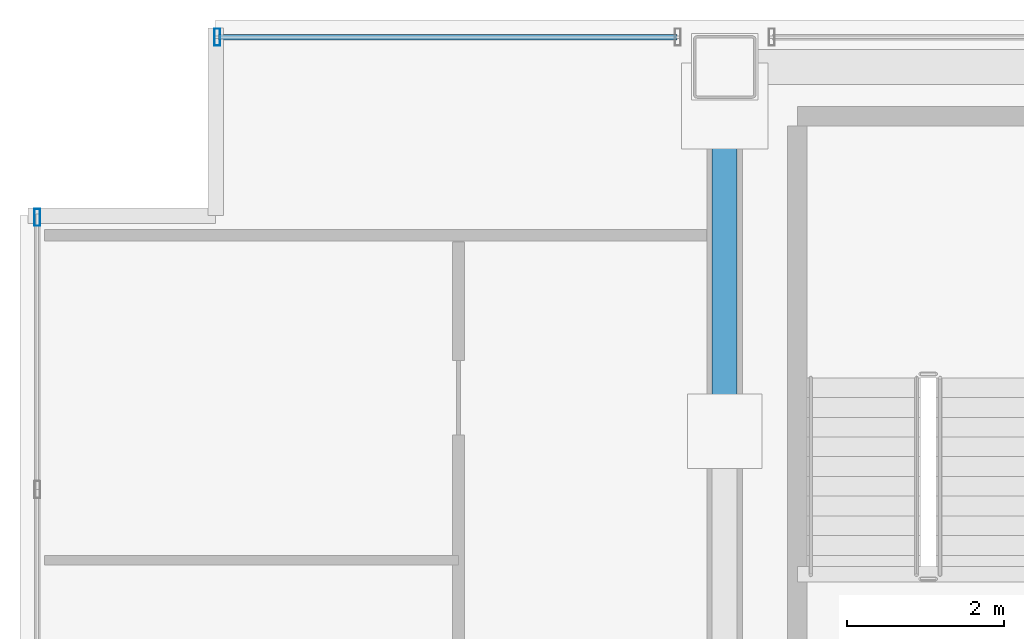
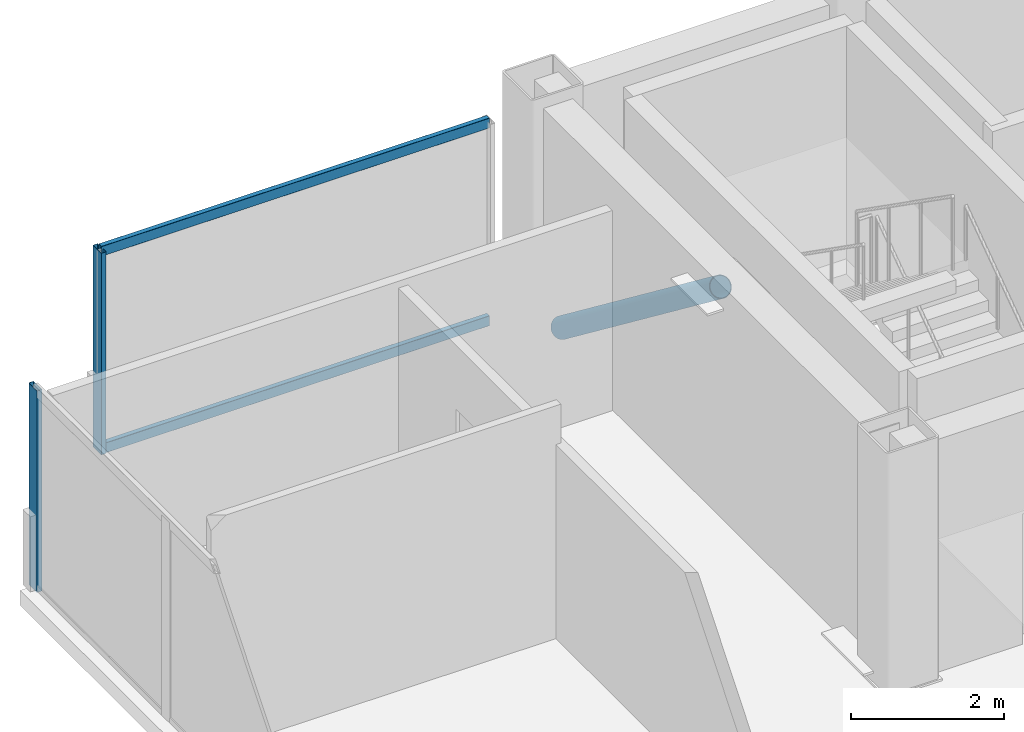
# One storey, part 10 of 22: 5 members, 2 elements without a shape of their own.
"""IFC4 building model written with IfcOpenShell, lengths in metres."""

import ifcopenshell
import ifcopenshell.guid

model = None  # the IFC model being written
_history = None  # IfcOwnerHistory: only IFC2X3 demands one
_inside = {}  # id of a spatial element -> (the spatial element, [elements in it])
_under = {}  # id of a project, library or spatial element -> (it, [spatial elements below it])
_declared = {}  # id of a project -> (the project, [libraries it declares])
_typed = {}  # id of a type object -> (the type object, [elements of that type])
_made_of = {}  # id of a material, layer set ... -> (it, [elements and type objects made of it])


def new_model(schema):
    """Start an empty IFC model of exactly this schema.

    Asked for "IFC4X3", IfcOpenShell would pick the latest addendum, in which some entities
    have other attributes; the version numbers below select the first issue.
    IFC2X3 requires an IfcOwnerHistory on every rooted entity: one is made here for all.
    """
    global model, _history
    if schema == "IFC4X3":
        model = ifcopenshell.file(schema_version=(4, 3, 0, 0))
    else:
        model = ifcopenshell.file(schema=schema)
    _inside.clear()
    _under.clear()
    _declared.clear()
    _typed.clear()
    _made_of.clear()
    _history = None
    if model.schema == "IFC2X3":
        org = make("IfcOrganization", Name="unknown")
        user = make(
            "IfcPersonAndOrganization",
            ThePerson=make("IfcPerson", FamilyName="unknown"),
            TheOrganization=org,
        )
        app = make(
            "IfcApplication",
            ApplicationDeveloper=org,
            Version="unknown",
            ApplicationFullName="unknown",
            ApplicationIdentifier="unknown",
        )
        _history = make(
            "IfcOwnerHistory",
            OwningUser=user,
            OwningApplication=app,
            ChangeAction="ADDED",
            CreationDate=0,
        )
    return model


def make(cls, **values):
    """One entity of the class cls with the attributes given. An attribute that is None is left unset."""
    return model.create_entity(
        cls, **{name: value for name, value in values.items() if value is not None}
    )


def rooted(cls, **values):
    """An entity with a GlobalId (a new one), such as an element, a storey or a relation."""
    return make(cls, GlobalId=ifcopenshell.guid.new(), OwnerHistory=_history, **values)


def si_unit(unit_type, name, prefix=None):
    """IfcSIUnit, for example si_unit("LENGTHUNIT", "METRE", prefix="MILLI")."""
    return make("IfcSIUnit", UnitType=unit_type, Prefix=prefix, Name=name)


def assignment(units):
    """IfcUnitAssignment: the units of a project."""
    return None if units is None else make("IfcUnitAssignment", Units=units)


def point(xyz):
    """IfcCartesianPoint."""
    return None if xyz is None else make("IfcCartesianPoint", Coordinates=xyz)


def direction(xyz):
    """IfcDirection."""
    return None if xyz is None else make("IfcDirection", DirectionRatios=xyz)


def frame(location, z_axis=None, x_axis=None):
    """IfcAxis2Placement3D, a coordinate frame: its origin and axes. An axis left out is left unset."""
    return make(
        "IfcAxis2Placement3D",
        Location=point(location),
        Axis=direction(z_axis),
        RefDirection=direction(x_axis),
    )


def frame_2d(location, x_axis=None):
    """IfcAxis2Placement2D, a coordinate frame in the plane: its origin and x axis."""
    return make(
        "IfcAxis2Placement2D", Location=point(location), RefDirection=direction(x_axis)
    )


def origin():
    """The frame at (0, 0, 0) with its axes left unset."""
    return frame((0.0, 0.0, 0.0))


def origin_2d():
    """The frame at (0, 0) in the plane with its x axis left unset."""
    return frame_2d((0.0, 0.0))


def place(relative_to, where):
    """IfcLocalPlacement: puts the frame where relative to a parent placement (None: the world)."""
    return make(
        "IfcLocalPlacement", PlacementRelTo=relative_to, RelativePlacement=where
    )


def context(
    kind, dimensions, precision=None, world=None, true_north=None, identifier=None
):
    """IfcGeometricRepresentationContext, for example the 3D "Model" context."""
    return make(
        "IfcGeometricRepresentationContext",
        ContextIdentifier=identifier,
        ContextType=kind,
        CoordinateSpaceDimension=dimensions,
        Precision=precision,
        WorldCoordinateSystem=world,
        TrueNorth=true_north,
    )


def subcontext(parent, identifier, kind, view, scale=None):
    """IfcGeometricRepresentationSubContext, for example "Body" below "Model"."""
    return make(
        "IfcGeometricRepresentationSubContext",
        ContextIdentifier=identifier,
        ContextType=kind,
        ParentContext=parent,
        TargetScale=scale,
        TargetView=view,
    )


def project(units=None, contexts=None):
    """IfcProject with its units and contexts."""
    return rooted(
        "IfcProject",
        Name="project",
        RepresentationContexts=contexts,
        UnitsInContext=assignment(units),
    )


def spatial(cls, under=None, at=None, **own):
    """A site, building, storey or space (cls), placed at a placement, below another one or the project."""
    s = rooted(cls, ObjectPlacement=at, **own)
    if under is not None:
        _under.setdefault(under.id(), (under, []))[1].append(s)
    return s


def profile(cls, at=None, kind="AREA", **sizes):
    """A parametric profile (cls). Its sizes go by their IFC names, for example OverallWidth=200.0."""
    return make(cls, ProfileType=kind, Position=at, **sizes)


def hollow_rectangle(**sizes):
    """IfcRectangleHollowProfileDef."""
    return profile("IfcRectangleHollowProfileDef", **sizes)


def hollow_circle(**sizes):
    """IfcCircleHollowProfileDef."""
    return profile("IfcCircleHollowProfileDef", **sizes)


def extrude(swept, where, along, depth):
    """IfcExtrudedAreaSolid: the profile swept, set in the frame where, extruded along a direction by depth."""
    return make(
        "IfcExtrudedAreaSolid",
        SweptArea=swept,
        Position=where,
        ExtrudedDirection=direction(along),
        Depth=depth,
    )


def shape(context_of_items, identifier, shape_type, items):
    """IfcShapeRepresentation: the items that make up one representation, for example the "Body"."""
    return make(
        "IfcShapeRepresentation",
        ContextOfItems=context_of_items,
        RepresentationIdentifier=identifier,
        RepresentationType=shape_type,
        Items=items,
    )


def material(Name=None, Category=None):
    """IfcMaterial."""
    return make("IfcMaterial", Name=Name, Category=Category)


def material_profile(
    of_material, cross_section, Name=None, Category=None, Priority=None
):
    """IfcMaterialProfile: a cross section and its material."""
    return make(
        "IfcMaterialProfile",
        Name=Name,
        Material=of_material,
        Profile=cross_section,
        Priority=Priority,
        Category=Category,
    )


def profile_set(profiles, Name=None, composite=None):
    """IfcMaterialProfileSet."""
    return make(
        "IfcMaterialProfileSet",
        Name=Name,
        MaterialProfiles=profiles,
        CompositeProfile=composite,
    )


def made_of(thing, what):
    """Note that an element or type object is made of a material, layer set ...; save() writes the relation."""
    if what is not None:
        _made_of.setdefault(what.id(), (what, []))[1].append(thing)
    return thing


def type_object(cls, material=None, **own):
    """A type object (cls), such as IfcWallType, which elements share."""
    return made_of(rooted(cls, **own), material)


def element(
    cls,
    number,
    at=None,
    inside=None,
    cuts=None,
    type_object=None,
    material=None,
    context=None,
    identifier="Body",
    shape_type=None,
    held_by="IfcProductDefinitionShape",
    body=None,
    shapes=None,
    **own,
):
    """One element of the class cls, such as IfcWall. Its Tag is "e" and its number.

    at: its placement. inside: the storey or other place that contains it. cuts: it is an
    opening in that element (IfcRelVoidsElement). A single representation is given by context,
    identifier, shape_type and body (its items); several are given by shapes. held_by: the class
    of the entity that holds the representations. save() writes the other relations.
    """
    e = rooted(cls, Tag="e%d" % number, ObjectPlacement=at, **own)
    if body is not None:
        shapes = [shape(context, identifier, shape_type, body)]
    if shapes is not None:
        e.Representation = make(held_by, Representations=shapes)
    if inside is not None:
        _inside.setdefault(inside.id(), (inside, []))[1].append(e)
    if cuts is not None:
        rooted(
            "IfcRelVoidsElement", RelatingBuildingElement=cuts, RelatedOpeningElement=e
        )
    if type_object is not None:
        _typed.setdefault(type_object.id(), (type_object, []))[1].append(e)
    return made_of(e, material)


def aggregate(whole, parts):
    """IfcRelAggregates: a whole, such as a stair, and the parts it consists of."""
    return rooted("IfcRelAggregates", RelatingObject=whole, RelatedObjects=parts)


def save(model, path):
    """Write the relations noted so far, then the file.

    IfcRelAggregates (storeys below a building ...), IfcRelContainedInSpatialStructure (elements
    in a storey), IfcRelDefinesByType, IfcRelAssociatesMaterial and IfcRelDeclares: one each for
    every whole, place, type object, material and project.
    """
    for whole, parts in _under.values():
        aggregate(whole, parts)
    for where, things in _inside.values():
        rooted(
            "IfcRelContainedInSpatialStructure",
            RelatedElements=things,
            RelatingStructure=where,
        )
    for kind, things in _typed.values():
        rooted("IfcRelDefinesByType", RelatedObjects=things, RelatingType=kind)
    for what, things in _made_of.values():
        rooted("IfcRelAssociatesMaterial", RelatedObjects=things, RelatingMaterial=what)
    for by, libraries in _declared.values():
        rooted("IfcRelDeclares", RelatingContext=by, RelatedDefinitions=libraries)
    model.write(path)


model = new_model("IFC4")

# Units and contexts
model_context = context("Model", 3, precision=1e-05, world=origin(), true_north=direction((0.0, 1.0)))
body_context = subcontext(model_context, "Body", "Model", "MODEL_VIEW")
ifc_project = project(units=[si_unit("LENGTHUNIT", "METRE"), si_unit("AREAUNIT", "SQUARE_METRE"), si_unit("VOLUMEUNIT", "CUBIC_METRE"), si_unit("PLANEANGLEUNIT", "RADIAN"), si_unit("MASSUNIT", "GRAM", prefix="KILO")], contexts=[model_context])

# Site, building, storey
site_placement = place(None, origin())
site = spatial("IfcSite", under=ifc_project, at=site_placement, CompositionType="ELEMENT")
building_placement = place(site_placement, origin())
building = spatial("IfcBuilding", under=site, at=building_placement, Name="Noeulbin Bourse Tower", CompositionType="ELEMENT")
storey_placement = place(building_placement, frame((0.0, 0.0, 230.60009765625)))
storey = spatial("IfcBuildingStorey", under=building, at=storey_placement, Name="L57", CompositionType="ELEMENT", Elevation=230.60009765625)

# Curtain wall, member
ifc_material_1 = material(Name="High-Selectivity Low-Iron Glazing", Category="glass")
curtain_wall_type = type_object("IfcCurtainWallType", Name="CW-SYS-4", PredefinedType="NOTDEFINED", material=ifc_material_1)
curtain_wall_1_placement = place(storey_placement, origin())
curtain_wall_1 = element("IfcCurtainWall", 1, at=curtain_wall_1_placement, inside=storey, type_object=curtain_wall_type, Name="Unitised Curtain Wall CW-L57-N-S1", PredefinedType="NOTDEFINED")
ifc_material_2 = material(Name="Anodised Aluminium 6063-T6", Category="aluminium")
ifc_material_profile_1 = material_profile(ifc_material_2, hollow_rectangle(XDim=0.074951171875, YDim=0.219970703125, WallThickness=0.0048828125, InnerFilletRadius=0.00244140625, OuterFilletRadius=0.0048828125, at=origin_2d()), Name="ALU-MULL-75x220x5", Category="LoadBearing")
ifc_profile_set_1 = profile_set([ifc_material_profile_1], Name="Anodised Aluminium 6063-T6")
member_type_1 = type_object("IfcMemberType", Name="CW-SYS-4-MUL", PredefinedType="MULLION", material=ifc_profile_set_1)
member_1_placement = place(storey_placement, frame((7.02001953125, 38.679931640625, -0.02001953125), z_axis=(0.0, 0.0, 1.0), x_axis=(1.0, 0.0, 0.0)))
member_1 = element("IfcMember", 2, at=member_1_placement, type_object=member_type_1, Name="Curtain Wall Mullion CW-L57-N-S1-M00", PredefinedType="MULLION", context=body_context, shape_type="SweptSolid", body=[
    extrude(hollow_rectangle(XDim=0.074951171875, YDim=0.219970703125, WallThickness=0.0048828125, InnerFilletRadius=0.00244140625, OuterFilletRadius=0.0048828125, at=origin_2d()), origin(), (0.0, 0.0, 1.0), 3.219970703125),
])

curtain_wall_2_placement = place(storey_placement, origin())
curtain_wall_2 = element("IfcCurtainWall", 3, at=curtain_wall_2_placement, inside=storey, type_object=curtain_wall_type, Name="Unitised Curtain Wall CW-L57-W-S3", PredefinedType="NOTDEFINED")
member_2_placement = place(storey_placement, frame((4.719970703125, 36.3798828125, -0.02001953125), z_axis=(0.0, 0.0, 1.0), x_axis=(1.0, 0.0, 0.0)))
member_2 = element("IfcMember", 4, at=member_2_placement, type_object=member_type_1, Name="Curtain Wall Mullion CW-L57-W-S3-M02", PredefinedType="MULLION", context=body_context, shape_type="SweptSolid", body=[
    extrude(hollow_rectangle(XDim=0.074951171875, YDim=0.219970703125, WallThickness=0.0048828125, InnerFilletRadius=0.00244140625, OuterFilletRadius=0.0048828125, at=origin_2d()), origin(), (0.0, 0.0, 1.0), 3.219970703125),
])
aggregate(curtain_wall_2, [member_2])

# Member
ifc_material_profile_2 = material_profile(ifc_material_2, hollow_rectangle(XDim=0.074951171875, YDim=0.159912109375, WallThickness=0.0048828125, InnerFilletRadius=0.00244140625, OuterFilletRadius=0.0048828125, at=origin_2d()), Name="ALU-TRAN-75x160x5", Category="LoadBearing")
ifc_profile_set_2 = profile_set([ifc_material_profile_2], Name="Anodised Aluminium 6063-T6")
member_type_2 = type_object("IfcMemberType", Name="CW-SYS-4-TRN", PredefinedType="USERDEFINED", material=ifc_profile_set_2)
member_3_placement = place(storey_placement, frame((7.030029296875, 38.679931640625, 0.010009765625), z_axis=(1.0, 0.0, 0.0), x_axis=(0.0, 1.0, 0.0)))
member_3 = element("IfcMember", 5, at=member_3_placement, type_object=member_type_2, Name="Curtain Wall Transom CW-L57-N-S1-T00", ObjectType="TRANSOM", PredefinedType="USERDEFINED", context=body_context, shape_type="SweptSolid", body=[
    extrude(hollow_rectangle(XDim=0.074951171875, YDim=0.159912109375, WallThickness=0.0048828125, InnerFilletRadius=0.00244140625, OuterFilletRadius=0.0048828125, at=origin_2d()), origin(), (0.0, 0.0, 1.0), 5.85986328125),
])

member_4_placement = place(storey_placement, frame((7.030029296875, 38.679931640625, 3.169921875), z_axis=(1.0, 0.0, 0.0), x_axis=(0.0, 1.0, 0.0)))
member_4 = element("IfcMember", 6, at=member_4_placement, type_object=member_type_2, Name="Curtain Wall Transom CW-L57-N-S1-T01", ObjectType="TRANSOM", PredefinedType="USERDEFINED", context=body_context, shape_type="SweptSolid", body=[
    extrude(hollow_rectangle(XDim=0.074951171875, YDim=0.159912109375, WallThickness=0.0048828125, InnerFilletRadius=0.00244140625, OuterFilletRadius=0.0048828125, at=origin_2d()), origin(), (0.0, 0.0, 1.0), 5.85986328125),
])

aggregate(curtain_wall_1, [member_1, member_3, member_4])

ifc_material_3 = material(Name="Steel S355", Category="steel")
ifc_material_profile_3 = material_profile(ifc_material_3, hollow_circle(Radius=0.1591796875, WallThickness=0.01025390625, at=origin_2d()), Name="CHS-318.5x10.3", Category="LoadBearing")
ifc_profile_set_3 = profile_set([ifc_material_profile_3], Name="Steel S355")
member_type_3 = type_object("IfcMemberType", Name="MEM-EXO-318", PredefinedType="BRACE", material=ifc_profile_set_3)
member_5_placement = place(storey_placement, frame((13.5, 33.64990234375, 3.369873046875), z_axis=(0.0, 0.794701388985, -0.607000578538), x_axis=(-1.0, 0.0, 0.0)))
element("IfcMember", 7, at=member_5_placement, inside=storey, type_object=member_type_3, Name="Core Flank Chevron Brace XT-L57-W2", PredefinedType="BRACE", context=body_context, shape_type="SweptSolid", body=[
    extrude(hollow_circle(Radius=0.1591796875, WallThickness=0.01025390625, at=origin_2d()), origin(), (0.0, 0.0, 1.0), 5.22216796875),
])

save(model, "model.ifc")
